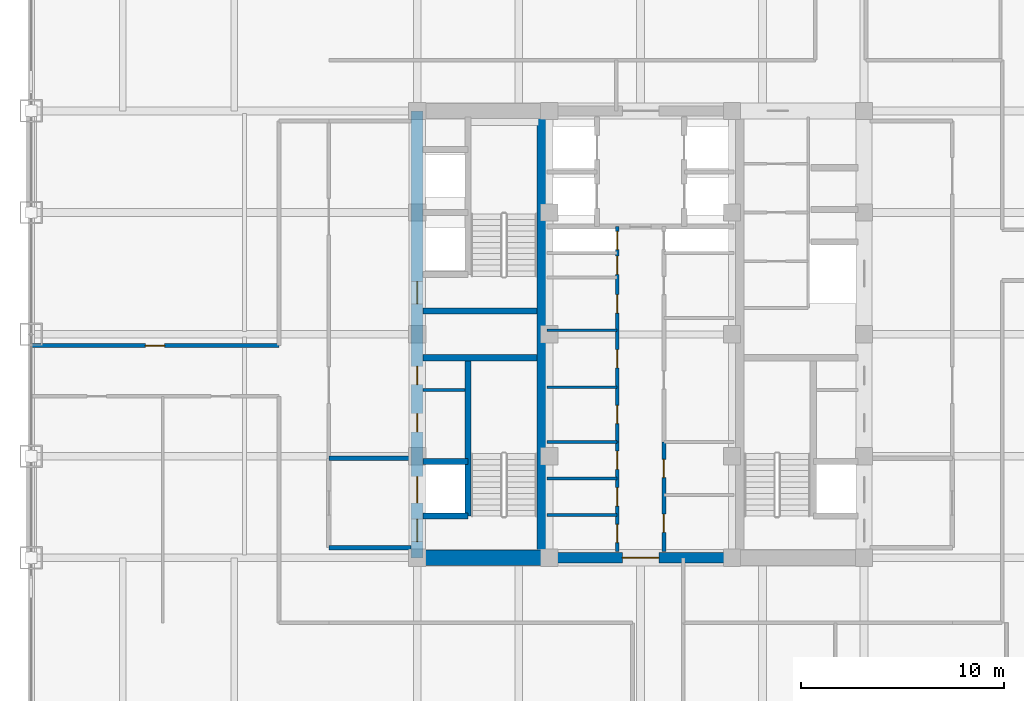
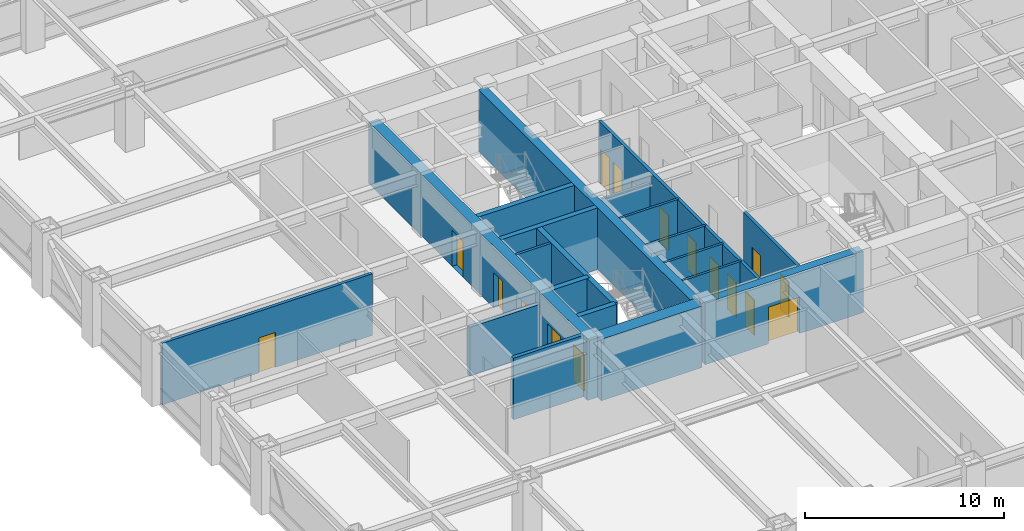
# One storey, part 20 of 25: 21 walls, 17 doors, 17 openings.
"""IFC4 building model written with IfcOpenShell, lengths in metres."""

from ifc_helpers import new_model, si_unit, direction, frame, frame_2d, origin, place, context, subcontext, project, spatial, rectangle, extrude, source, transform, mapped, material, layer, layer_set, type_object, element, fill, save


model = new_model("IFC4")

# Units and contexts
model_context = context("Model", 3, precision=1e-05, world=origin(), true_north=direction((0.0, 1.0)))
body_context = subcontext(model_context, "Body", "Model", "MODEL_VIEW")
ifc_project = project(units=[si_unit("LENGTHUNIT", "METRE"), si_unit("AREAUNIT", "SQUARE_METRE"), si_unit("VOLUMEUNIT", "CUBIC_METRE"), si_unit("PLANEANGLEUNIT", "RADIAN"), si_unit("MASSUNIT", "GRAM", prefix="KILO")], contexts=[model_context])

# Site, building, storey
site_placement = place(None, origin())
site = spatial("IfcSite", under=ifc_project, at=site_placement, CompositionType="ELEMENT")
building_placement = place(site_placement, origin())
building = spatial("IfcBuilding", under=site, at=building_placement, Name="Khorayat Bourse Tower", CompositionType="ELEMENT")
storey_placement = place(building_placement, frame((0.0, 0.0, 195.10009765625)))
storey = spatial("IfcBuildingStorey", under=building, at=storey_placement, Name="L45", CompositionType="ELEMENT", Elevation=195.10009765625)

# Wall, openings, doors
ifc_material_1 = material(Name="Concrete C60/75", Category="concrete")
ifc_layer_1 = layer(ifc_material_1, 0.60009765625)
ifc_layer_set_1 = layer_set([ifc_layer_1], Name="Concrete C60/75")
wall_type_1 = type_object("IfcWallType", Name="WAL-CORE-600", PredefinedType="SHEAR", material=ifc_layer_set_1)
shared_shape_1 = source(origin(), body_context, "Body", "SweptSolid", [
    extrude(rectangle(XDim=22.0, YDim=0.60009765625, at=frame_2d((11.0, 0.0))), origin(), (0.0, 0.0, 1.0), 3.77978515625),
])
wall_1_placement = place(storey_placement, frame((-11.0, -11.0, 0.0), z_axis=(0.0, 0.0, 1.0), x_axis=(0.0, 1.0, 0.0)))
wall_1 = element("IfcWall", 1, at=wall_1_placement, inside=storey, type_object=wall_type_1, Name="L45 Core Shear Wall CORE-W", PredefinedType="SHEAR", context=body_context, shape_type="MappedRepresentation", body=[
    mapped(shared_shape_1, transform((0.0, 0.0, 0.0), scale=1.0)),
])
shared_shape_2 = source(origin(), body_context, "Body", "SweptSolid", [
    extrude(rectangle(XDim=1.10009765625, YDim=2.199951171875, at=frame_2d((0.550048828125, 1.10009765625))), frame((0.0, 0.31005859375, 0.0), z_axis=(0.0, -1.0, 0.0), x_axis=(1.0, 0.0, 0.0)), (0.0, 0.0, 1.0), 0.6201171875),
])
opening_1_placement = place(wall_1_placement, frame((0.800048828125, 0.0, 0.0)))
opening_1 = element("IfcOpeningElement", 2, at=opening_1_placement, cuts=wall_1, Name="Opening DI-01", PredefinedType="OPENING", context=body_context, shape_type="MappedRepresentation", body=[
    mapped(shared_shape_2, transform((0.0, 0.0, 0.0), scale=1.0)),
])
opening_2_placement = place(wall_1_placement, frame((12.5, 0.0, 0.0)))
opening_2 = element("IfcOpeningElement", 3, at=opening_2_placement, cuts=wall_1, Name="Opening DI-01", PredefinedType="OPENING", context=body_context, shape_type="MappedRepresentation", body=[
    mapped(shared_shape_2, transform((0.0, 0.0, 0.0), scale=1.0)),
])
shared_shape_3 = source(origin(), body_context, "Body", "SweptSolid", [
    extrude(rectangle(XDim=0.89990234375, YDim=2.14990234375, at=frame_2d((0.449951171875, 1.074951171875))), frame((0.0, 0.31005859375, 0.0), z_axis=(0.0, -1.0, 0.0), x_axis=(1.0, 0.0, 0.0)), (0.0, 0.0, 1.0), 0.6201171875),
])
opening_3_placement = place(wall_1_placement, frame((6.199951171875, 0.0, 0.0)))
opening_3 = element("IfcOpeningElement", 4, at=opening_3_placement, cuts=wall_1, Name="Opening DI-06", PredefinedType="OPENING", context=body_context, shape_type="MappedRepresentation", body=[
    mapped(shared_shape_3, transform((0.0, 0.0, 0.0), scale=1.0)),
])
opening_4_placement = place(wall_1_placement, frame((8.52490234375, 0.0, 0.0)))
opening_4 = element("IfcOpeningElement", 5, at=opening_4_placement, cuts=wall_1, Name="Opening DI-06", PredefinedType="OPENING", context=body_context, shape_type="MappedRepresentation", body=[
    mapped(shared_shape_3, transform((0.0, 0.0, 0.0), scale=1.0)),
])
shared_shape_4 = source(origin(), body_context, "Body", "SweptSolid", [
    extrude(rectangle(XDim=1.300048828125, YDim=2.300048828125, at=frame_2d((0.64990234375, 1.14990234375))), frame((0.0, 0.31005859375, 0.0), z_axis=(0.0, -1.0, 0.0), x_axis=(1.0, 0.0, 0.0)), (0.0, 0.0, 1.0), 0.6201171875),
])
opening_5_placement = place(wall_1_placement, frame((2.699951171875, 0.0, 0.0)))
opening_5 = element("IfcOpeningElement", 6, at=opening_5_placement, cuts=wall_1, Name="Opening LD-02", PredefinedType="OPENING", context=body_context, shape_type="MappedRepresentation", body=[
    mapped(shared_shape_4, transform((0.0, 0.0, 0.0), scale=1.0)),
])
ifc_material_2 = material(Name="Fire-rated steel acoustic leaf", Category="steel")
door_type_1 = type_object("IfcDoorType", Name="DR-INT-STAIR-1100", OperationType="NOTDEFINED", PredefinedType="DOOR", material=ifc_material_2)
shared_shape_5 = source(origin(), body_context, "Body", "SweptSolid", [
    extrude(rectangle(XDim=1.10009765625, YDim=2.199951171875, at=frame_2d((0.550048828125, 1.10009765625))), frame((0.0, 0.02490234375, 0.0), z_axis=(0.0, -1.0, 0.0), x_axis=(1.0, 0.0, 0.0)), (0.0, 0.0, 1.0), 0.050048828125),
])
door_1_placement = place(opening_1_placement, origin())
door_1 = element("IfcDoor", 7, at=door_1_placement, inside=storey, type_object=door_type_1, Name="L45 Exit Stair 1 Door", OperationType="SINGLE_SWING_RIGHT", OverallHeight=2.199951171875, OverallWidth=1.10009765625, PredefinedType="DOOR", context=body_context, shape_type="MappedRepresentation", body=[
    mapped(shared_shape_5, transform((0.0, 0.0, 0.0), scale=1.0)),
])
fill(opening_1, door_1)
door_2_placement = place(opening_2_placement, origin())
door_2 = element("IfcDoor", 8, at=door_2_placement, inside=storey, type_object=door_type_1, Name="L45 Exit Stair 2 Door", OperationType="SINGLE_SWING_RIGHT", OverallHeight=2.199951171875, OverallWidth=1.10009765625, PredefinedType="DOOR", context=body_context, shape_type="MappedRepresentation", body=[
    mapped(shared_shape_5, transform((0.0, 0.0, 0.0), scale=1.0)),
])
fill(opening_2, door_2)
ifc_material_3 = material(Name="Moisture-resistant laminate washroom door")
door_type_2 = type_object("IfcDoorType", Name="DR-INT-WC-900", OperationType="NOTDEFINED", PredefinedType="DOOR", material=ifc_material_3)
shared_shape_6 = source(origin(), body_context, "Body", "SweptSolid", [
    extrude(rectangle(XDim=0.89990234375, YDim=2.14990234375, at=frame_2d((0.449951171875, 1.074951171875))), frame((0.0, 0.02490234375, 0.0), z_axis=(0.0, -1.0, 0.0), x_axis=(1.0, 0.0, 0.0)), (0.0, 0.0, 1.0), 0.050048828125),
])
door_3_placement = place(opening_3_placement, origin())
door_3 = element("IfcDoor", 9, at=door_3_placement, inside=storey, type_object=door_type_2, Name="L45 Switch Closet Door", OperationType="SINGLE_SWING_RIGHT", OverallHeight=2.14990234375, OverallWidth=0.89990234375, PredefinedType="DOOR", context=body_context, shape_type="MappedRepresentation", body=[
    mapped(shared_shape_6, transform((0.0, 0.0, 0.0), scale=1.0)),
])
fill(opening_3, door_3)
door_4_placement = place(opening_4_placement, origin())
door_4 = element("IfcDoor", 10, at=door_4_placement, inside=storey, type_object=door_type_2, Name="L45 Janitor Store Door", OperationType="SINGLE_SWING_LEFT", OverallHeight=2.14990234375, OverallWidth=0.89990234375, PredefinedType="DOOR", context=body_context, shape_type="MappedRepresentation", body=[
    mapped(shared_shape_6, transform((0.0, 0.0, 0.0), scale=1.0)),
])
fill(opening_4, door_4)
ifc_material_4 = material(Name="Fire-rated stainless-steel sliding landing door", Category="steel")
door_type_3 = type_object("IfcDoorType", Name="DR-LIFT-FF-1300", OperationType="NOTDEFINED", PredefinedType="DOOR", material=ifc_material_4)
shared_shape_7 = source(origin(), body_context, "Body", "SweptSolid", [
    extrude(rectangle(XDim=1.300048828125, YDim=2.300048828125, at=frame_2d((0.64990234375, 1.14990234375))), frame((0.0, 0.02490234375, 0.0), z_axis=(0.0, -1.0, 0.0), x_axis=(1.0, 0.0, 0.0)), (0.0, 0.0, 1.0), 0.050048828125),
])
door_5_placement = place(opening_5_placement, origin())
door_5 = element("IfcDoor", 11, at=door_5_placement, inside=storey, type_object=door_type_3, Name="L45 Lift FFL-01 Sliding Landing Door", OperationType="SLIDING_TO_LEFT", OverallHeight=2.300048828125, OverallWidth=1.300048828125, PredefinedType="DOOR", context=body_context, shape_type="MappedRepresentation", body=[
    mapped(shared_shape_7, transform((0.0, 0.0, 0.0), scale=1.0)),
])
fill(opening_5, door_5)

# Walls
ifc_material_5 = material(Name="Concrete C52/65", Category="concrete")
ifc_layer_2 = layer(ifc_material_5, 0.5)
ifc_layer_set_2 = layer_set([ifc_layer_2], Name="Concrete C52/65")
wall_type_2 = type_object("IfcWallType", Name="WAL-CORE-500", PredefinedType="SHEAR", material=ifc_layer_set_2)
shared_shape_8 = source(origin(), body_context, "Body", "SweptSolid", [
    extrude(rectangle(XDim=21.39990234375, YDim=0.5, at=frame_2d((10.699951171875, 0.0))), origin(), (0.0, 0.0, 1.0), 3.77978515625),
])
wall_2_placement = place(storey_placement, frame((-4.85009765625, -10.699951171875, 0.0), z_axis=(0.0, 0.0, 1.0), x_axis=(0.0, 1.0, 0.0)))
element("IfcWall", 12, at=wall_2_placement, inside=storey, type_object=wall_type_2, Name="L45 Core Shear Wall PIER-W", PredefinedType="SHEAR", context=body_context, shape_type="MappedRepresentation", body=[
    mapped(shared_shape_8, transform((0.0, 0.0, 0.0), scale=1.0)),
])
ifc_material_6 = material(Name="Concrete C72/90", Category="concrete")
ifc_layer_3 = layer(ifc_material_6, 0.75)
ifc_layer_set_3 = layer_set([ifc_layer_3], Name="Concrete C72/90")
wall_type_3 = type_object("IfcWallType", Name="WAL-CORE-750", PredefinedType="SHEAR", material=ifc_layer_set_3)
shared_shape_9 = source(origin(), body_context, "Body", "SweptSolid", [
    extrude(rectangle(XDim=5.849853515625, YDim=0.75, at=frame_2d((2.9248046875, 0.0))), origin(), (0.0, 0.0, 1.0), 3.77978515625),
])
wall_3_placement = place(storey_placement, frame((-10.699951171875, -11.0, 0.0), z_axis=(0.0, 0.0, 1.0), x_axis=(1.0, 0.0, 0.0)))
element("IfcWall", 13, at=wall_3_placement, inside=storey, type_object=wall_type_3, Name="L45 Core Shear Wall PIER-WS", PredefinedType="SHEAR", context=body_context, shape_type="MappedRepresentation", body=[
    mapped(shared_shape_9, transform((0.0, 0.0, 0.0), scale=1.0)),
])
ifc_material_7 = material(Name="Concrete C50/60", Category="concrete")
ifc_layer_4 = layer(ifc_material_7, 0.300048828125)
ifc_layer_set_4 = layer_set([ifc_layer_4], Name="Concrete C50/60")
wall_type_4 = type_object("IfcWallType", Name="WAL-SHAFT-300", PredefinedType="SHEAR", material=ifc_layer_set_4)
shared_shape_10 = source(origin(), body_context, "Body", "SweptSolid", [
    extrude(rectangle(XDim=5.599853515625, YDim=0.300048828125, at=frame_2d((2.7998046875, 0.0))), origin(), (0.0, 0.0, 1.0), 3.77978515625),
])
for number, where, z_axis, x_axis, name in (
    (14, (-10.699951171875, -1.14990234375, 0.0), (0.0, 0.0, 1.0), (1.0, 0.0, 0.0), "L45 Core Shear Wall ST1-DIV"),
    (15, (-10.699951171875, 1.14990234375, 0.0), (0.0, 0.0, 1.0), (1.0, 0.0, 0.0), "L45 Core Shear Wall ST2-DIV"),
):
    element("IfcWall", number, at=place(storey_placement, frame(where, z_axis=z_axis, x_axis=x_axis)), inside=storey, type_object=wall_type_4, Name=name, PredefinedType="SHEAR", context=body_context, shape_type="MappedRepresentation", body=[
        mapped(shared_shape_10, transform((0.0, 0.0, 0.0), scale=1.0)),
    ])

# Wall, opening, door
shared_shape_11 = source(origin(), body_context, "Body", "SweptSolid", [
    extrude(rectangle(XDim=9.2001953125, YDim=0.5, at=frame_2d((4.60009765625, 0.0))), origin(), (0.0, 0.0, 1.0), 3.77978515625),
])
wall_4_placement = place(storey_placement, frame((-4.60009765625, -11.0, 0.0), z_axis=(0.0, 0.0, 1.0), x_axis=(1.0, 0.0, 0.0)))
wall_4 = element("IfcWall", 16, at=wall_4_placement, inside=storey, type_object=wall_type_2, Name="L45 Core Shear Wall CORE-S", PredefinedType="SHEAR", context=body_context, shape_type="MappedRepresentation", body=[
    mapped(shared_shape_11, transform((0.0, 0.0, 0.0), scale=1.0)),
])
shared_shape_12 = source(origin(), body_context, "Body", "SweptSolid", [
    extrude(rectangle(XDim=1.800048828125, YDim=2.25, at=frame_2d((0.89990234375, 1.125))), frame((0.0, 0.260009765625, 0.0), z_axis=(0.0, -1.0, 0.0), x_axis=(1.0, 0.0, 0.0)), (0.0, 0.0, 1.0), 0.52001953125),
])
opening_6_placement = place(wall_4_placement, frame((3.699951171875, 0.0, 0.0)))
opening_6 = element("IfcOpeningElement", 17, at=opening_6_placement, cuts=wall_4, Name="Opening DI-03", PredefinedType="OPENING", context=body_context, shape_type="MappedRepresentation", body=[
    mapped(shared_shape_12, transform((0.0, 0.0, 0.0), scale=1.0)),
])
ifc_material_8 = material(Name="Fire-rated hardwood vision-panel double leaf", Category="wood")
door_type_4 = type_object("IfcDoorType", Name="DR-INT-CORR-1800", OperationType="NOTDEFINED", PredefinedType="DOOR", material=ifc_material_8)
shared_shape_13 = source(origin(), body_context, "Body", "SweptSolid", [
    extrude(rectangle(XDim=1.800048828125, YDim=2.25, at=frame_2d((0.89990234375, 1.125))), frame((0.0, 0.02490234375, 0.0), z_axis=(0.0, -1.0, 0.0), x_axis=(1.0, 0.0, 0.0)), (0.0, 0.0, 1.0), 0.050048828125),
])
door_6_placement = place(opening_6_placement, origin())
door_6 = element("IfcDoor", 18, at=door_6_placement, inside=storey, type_object=door_type_4, Name="L45 Central Core South Passage Door", OperationType="SINGLE_SWING_LEFT", OverallHeight=2.25, OverallWidth=1.800048828125, PredefinedType="DOOR", context=body_context, shape_type="MappedRepresentation", body=[
    mapped(shared_shape_13, transform((0.0, 0.0, 0.0), scale=1.0)),
])
fill(opening_6, door_6)

# Walls
shared_shape_14 = source(origin(), body_context, "Body", "SweptSolid", [
    extrude(rectangle(XDim=7.800048828125, YDim=0.300048828125, at=frame_2d((3.89990234375, 0.0))), origin(), (0.0, 0.0, 1.0), 3.77978515625),
])
wall_5_placement = place(storey_placement, frame((-8.5, -8.949951171875, 0.0), z_axis=(0.0, 0.0, 1.0), x_axis=(0.0, 1.0, 0.0)))
element("IfcWall", 19, at=wall_5_placement, inside=storey, type_object=wall_type_4, Name="L45 Partition WAL-L45-WPIER-SP", PredefinedType="SHEAR", context=body_context, shape_type="MappedRepresentation", body=[
    mapped(shared_shape_14, transform((0.0, 0.0, 0.0), scale=1.0)),
])
shared_shape_15 = source(origin(), body_context, "Body", "SweptSolid", [
    extrude(rectangle(XDim=2.199951171875, YDim=0.300048828125, at=frame_2d((1.10009765625, 0.0))), origin(), (0.0, 0.0, 1.0), 3.77978515625),
])
for number, where, z_axis, x_axis, name in (
    (20, (-10.699951171875, -8.949951171875, 0.0), (0.0, 0.0, 1.0), (1.0, 0.0, 0.0), "L45 Partition WAL-L45-WPIER-FF1S"),
    (21, (-10.699951171875, -6.25, 0.0), (0.0, 0.0, 1.0), (1.0, 0.0, 0.0), "L45 Partition WAL-L45-WPIER-FF1N"),
):
    element("IfcWall", number, at=place(storey_placement, frame(where, z_axis=z_axis, x_axis=x_axis)), inside=storey, type_object=wall_type_4, Name=name, PredefinedType="SHEAR", context=body_context, shape_type="MappedRepresentation", body=[
        mapped(shared_shape_15, transform((0.0, 0.0, 0.0), scale=1.0)),
    ])
ifc_material_9 = material(Name="Gypsum plasterboard twin-frame partition")
ifc_layer_5 = layer(ifc_material_9, 0.14990234375)
ifc_layer_set_5 = layer_set([ifc_layer_5], Name="Gypsum plasterboard twin-frame partition")
wall_type_5 = type_object("IfcWallType", Name="WAL-PART-SUITE-150", PredefinedType="PARTITIONING", material=ifc_layer_set_5)
shared_shape_16 = source(origin(), body_context, "Body", "SweptSolid", [
    extrude(rectangle(XDim=2.050048828125, YDim=0.14990234375, at=frame_2d((1.02490234375, 0.0))), origin(), (0.0, 0.0, 1.0), 3.77978515625),
])
wall_6_placement = place(storey_placement, frame((-10.699951171875, -2.75, 0.0), z_axis=(0.0, 0.0, 1.0), x_axis=(1.0, 0.0, 0.0)))
element("IfcWall", 22, at=wall_6_placement, inside=storey, type_object=wall_type_5, Name="L45 Partition WAL-L45-WSRV-D1", PredefinedType="PARTITIONING", context=body_context, shape_type="MappedRepresentation", body=[
    mapped(shared_shape_16, transform((0.0, 0.0, 0.0), scale=1.0)),
])
ifc_material_10 = material(Name="Aerated concrete blockwork", Category="masonry")
ifc_layer_6 = layer(ifc_material_10, 0.219970703125)
ifc_layer_set_6 = layer_set([ifc_layer_6], Name="Aerated concrete blockwork")
wall_type_6 = type_object("IfcWallType", Name="WAL-PART-FF-220", PredefinedType="PARTITIONING", material=ifc_layer_set_6)
shared_shape_17 = source(origin(), body_context, "Body", "SweptSolid", [
    extrude(rectangle(XDim=4.050048828125, YDim=0.219970703125, at=frame_2d((2.02490234375, 0.0))), origin(), (0.0, 0.0, 1.0), 3.77978515625),
])
wall_7_placement = place(storey_placement, frame((-15.35009765625, -10.5, 0.0), z_axis=(0.0, 0.0, 1.0), x_axis=(1.0, 0.0, 0.0)))
element("IfcWall", 23, at=wall_7_placement, inside=storey, type_object=wall_type_6, Name="L45 Partition WAL-L45-FFLW-S", PredefinedType="PARTITIONING", context=body_context, shape_type="MappedRepresentation", body=[
    mapped(shared_shape_17, transform((0.0, 0.0, 0.0), scale=1.0)),
])
shared_shape_18 = source(origin(), body_context, "Body", "SweptSolid", [
    extrude(rectangle(XDim=4.050048828125, YDim=0.219970703125, at=frame_2d((2.02490234375, 0.0))), origin(), (0.0, 0.0, 1.0), 3.0068359375),
])
wall_8_placement = place(storey_placement, frame((-15.35009765625, -6.10009765625, 0.0), z_axis=(0.0, 0.0, 1.0), x_axis=(1.0, 0.0, 0.0)))
element("IfcWall", 24, at=wall_8_placement, inside=storey, type_object=wall_type_6, Name="L45 Partition WAL-L45-FFLW-N", PredefinedType="PARTITIONING", context=body_context, shape_type="MappedRepresentation", body=[
    mapped(shared_shape_18, transform((0.0, 0.0, 0.0), scale=1.0)),
])
shared_shape_19 = source(origin(), body_context, "Body", "SweptSolid", [
    extrude(rectangle(XDim=3.4501953125, YDim=0.14990234375, at=frame_2d((1.72509765625, 0.0))), origin(), (0.0, 0.0, 1.0), 3.77978515625),
])
wall_9_placement = place(storey_placement, frame((-4.60009765625, -5.300048828125, 0.0), z_axis=(0.0, 0.0, 1.0), x_axis=(1.0, 0.0, 0.0)))
element("IfcWall", 25, at=wall_9_placement, inside=storey, type_object=wall_type_5, Name="L45 Partition WAL-L45-FB1-NW", PredefinedType="PARTITIONING", context=body_context, shape_type="MappedRepresentation", body=[
    mapped(shared_shape_19, transform((0.0, 0.0, 0.0), scale=1.0)),
])
ifc_material_11 = material(Name="Moisture-resistant masonry partition", Category="masonry")
ifc_layer_7 = layer(ifc_material_11, 0.139892578125)
ifc_layer_set_7 = layer_set([ifc_layer_7], Name="Moisture-resistant masonry partition")
wall_type_7 = type_object("IfcWallType", Name="WAL-PART-WET-140", PredefinedType="PARTITIONING", material=ifc_layer_set_7)
shared_shape_20 = source(origin(), body_context, "Body", "SweptSolid", [
    extrude(rectangle(XDim=3.4501953125, YDim=0.139892578125, at=frame_2d((1.72509765625, 0.0))), origin(), (0.0, 0.0, 1.0), 3.77978515625),
])
for number, where, z_axis, x_axis, name in (
    (26, (-4.60009765625, -8.89990234375, 0.0), (0.0, 0.0, 1.0), (1.0, 0.0, 0.0), "L45 Partition WAL-L45-FB1W-D1"),
    (27, (-4.60009765625, -7.10009765625, 0.0), (0.0, 0.0, 1.0), (1.0, 0.0, 0.0), "L45 Partition WAL-L45-FB1W-D2"),
    (28, (-4.60009765625, -2.60009765625, 0.0), (0.0, 0.0, 1.0), (1.0, 0.0, 0.0), "L45 Partition WAL-L45-CMW-D1"),
):
    element("IfcWall", number, at=place(storey_placement, frame(where, z_axis=z_axis, x_axis=x_axis)), inside=storey, type_object=wall_type_7, Name=name, PredefinedType="PARTITIONING", context=body_context, shape_type="MappedRepresentation", body=[
        mapped(shared_shape_20, transform((0.0, 0.0, 0.0), scale=1.0)),
    ])

# Wall, openings, doors
ifc_material_12 = material(Name="Gypsum plasterboard acoustic stud wall")
ifc_layer_8 = layer(ifc_material_12, 0.179931640625)
ifc_layer_set_8 = layer_set([ifc_layer_8], Name="Gypsum plasterboard acoustic stud wall")
wall_type_8 = type_object("IfcWallType", Name="WAL-PART-CORR-180", PredefinedType="PARTITIONING", material=ifc_layer_set_8)
shared_shape_21 = source(origin(), body_context, "Body", "SweptSolid", [
    extrude(rectangle(XDim=5.39990234375, YDim=0.179931640625, at=frame_2d((2.699951171875, 0.0))), origin(), (0.0, 0.0, 1.0), 3.77978515625),
])
wall_10_placement = place(storey_placement, frame((-1.14990234375, -10.699951171875, 0.0), z_axis=(0.0, 0.0, 1.0), x_axis=(0.0, 1.0, 0.0)))
wall_10 = element("IfcWall", 29, at=wall_10_placement, inside=storey, type_object=wall_type_8, Name="L45 Partition WAL-L45-FB1W-L", PredefinedType="PARTITIONING", context=body_context, shape_type="MappedRepresentation", body=[
    mapped(shared_shape_21, transform((0.0, 0.0, 0.0), scale=1.0)),
])
shared_shape_22 = source(origin(), body_context, "Body", "SweptSolid", [
    extrude(rectangle(XDim=0.89990234375, YDim=2.14990234375, at=frame_2d((0.449951171875, 1.074951171875))), frame((0.0, 0.099853515625, 0.0), z_axis=(0.0, -1.0, 0.0), x_axis=(1.0, 0.0, 0.0)), (0.0, 0.0, 1.0), 0.199951171875),
])
opening_7_placement = place(wall_10_placement, frame((0.449951171875, 0.0, 0.0)))
opening_7 = element("IfcOpeningElement", 30, at=opening_7_placement, cuts=wall_10, Name="Opening DI-06", PredefinedType="OPENING", context=body_context, shape_type="MappedRepresentation", body=[
    mapped(shared_shape_22, transform((0.0, 0.0, 0.0), scale=1.0)),
])
opening_8_placement = place(wall_10_placement, frame((2.25, 0.0, 0.0)))
opening_8 = element("IfcOpeningElement", 31, at=opening_8_placement, cuts=wall_10, Name="Opening DI-06", PredefinedType="OPENING", context=body_context, shape_type="MappedRepresentation", body=[
    mapped(shared_shape_22, transform((0.0, 0.0, 0.0), scale=1.0)),
])
opening_9_placement = place(wall_10_placement, frame((4.050048828125, 0.0, 0.0)))
opening_9 = element("IfcOpeningElement", 32, at=opening_9_placement, cuts=wall_10, Name="Opening DI-06", PredefinedType="OPENING", context=body_context, shape_type="MappedRepresentation", body=[
    mapped(shared_shape_22, transform((0.0, 0.0, 0.0), scale=1.0)),
])
door_7_placement = place(opening_7_placement, origin())
door_7 = element("IfcDoor", 33, at=door_7_placement, inside=storey, type_object=door_type_2, Name="L45 Archive Store A Door", OperationType="SINGLE_SWING_RIGHT", OverallHeight=2.14990234375, OverallWidth=0.89990234375, PredefinedType="DOOR", context=body_context, shape_type="MappedRepresentation", body=[
    mapped(shared_shape_6, transform((0.0, 0.0, 0.0), scale=1.0)),
])
fill(opening_7, door_7)
door_8_placement = place(opening_8_placement, origin())
door_8 = element("IfcDoor", 34, at=door_8_placement, inside=storey, type_object=door_type_2, Name="L45 Patch Comms Room Door", OperationType="SINGLE_SWING_LEFT", OverallHeight=2.14990234375, OverallWidth=0.89990234375, PredefinedType="DOOR", context=body_context, shape_type="MappedRepresentation", body=[
    mapped(shared_shape_6, transform((0.0, 0.0, 0.0), scale=1.0)),
])
fill(opening_8, door_8)
door_9_placement = place(opening_9_placement, origin())
door_9 = element("IfcDoor", 35, at=door_9_placement, inside=storey, type_object=door_type_2, Name="L45 Archive Store B Door", OperationType="SINGLE_SWING_RIGHT", OverallHeight=2.14990234375, OverallWidth=0.89990234375, PredefinedType="DOOR", context=body_context, shape_type="MappedRepresentation", body=[
    mapped(shared_shape_6, transform((0.0, 0.0, 0.0), scale=1.0)),
])
fill(opening_9, door_9)

wall_11_placement = place(storey_placement, frame((1.14990234375, -10.699951171875, 0.0), z_axis=(0.0, 0.0, 1.0), x_axis=(0.0, 1.0, 0.0)))
wall_11 = element("IfcWall", 36, at=wall_11_placement, inside=storey, type_object=wall_type_8, Name="L45 Partition WAL-L45-FB1E-L", PredefinedType="PARTITIONING", context=body_context, shape_type="MappedRepresentation", body=[
    mapped(shared_shape_21, transform((0.0, 0.0, 0.0), scale=1.0)),
])
opening_10_placement = place(wall_11_placement, frame((0.949951171875, 0.0, 0.0)))
opening_10 = element("IfcOpeningElement", 37, at=opening_10_placement, cuts=wall_11, Name="Opening DI-06", PredefinedType="OPENING", context=body_context, shape_type="MappedRepresentation", body=[
    mapped(shared_shape_22, transform((0.0, 0.0, 0.0), scale=1.0)),
])
opening_11_placement = place(wall_11_placement, frame((3.64990234375, 0.0, 0.0)))
opening_11 = element("IfcOpeningElement", 38, at=opening_11_placement, cuts=wall_11, Name="Opening DI-06", PredefinedType="OPENING", context=body_context, shape_type="MappedRepresentation", body=[
    mapped(shared_shape_22, transform((0.0, 0.0, 0.0), scale=1.0)),
])
door_10_placement = place(opening_10_placement, origin())
door_10 = element("IfcDoor", 39, at=door_10_placement, inside=storey, type_object=door_type_2, Name="L45 UPS Switch Plant Room Door", OperationType="SINGLE_SWING_RIGHT", OverallHeight=2.14990234375, OverallWidth=0.89990234375, PredefinedType="DOOR", context=body_context, shape_type="MappedRepresentation", body=[
    mapped(shared_shape_6, transform((0.0, 0.0, 0.0), scale=1.0)),
])
fill(opening_10, door_10)
door_11_placement = place(opening_11_placement, origin())
door_11 = element("IfcDoor", 40, at=door_11_placement, inside=storey, type_object=door_type_2, Name="L45 Reprographics Store Door", OperationType="SINGLE_SWING_LEFT", OverallHeight=2.14990234375, OverallWidth=0.89990234375, PredefinedType="DOOR", context=body_context, shape_type="MappedRepresentation", body=[
    mapped(shared_shape_6, transform((0.0, 0.0, 0.0), scale=1.0)),
])
fill(opening_11, door_11)

# Wall
shared_shape_23 = source(origin(), body_context, "Body", "SweptSolid", [
    extrude(rectangle(XDim=3.4501953125, YDim=0.139892578125, at=frame_2d((1.72509765625, 0.0))), origin(), (0.0, 0.0, 1.0), 3.0849609375),
])
wall_12_placement = place(storey_placement, frame((-4.60009765625, 0.199951171875, 0.0), z_axis=(0.0, 0.0, 1.0), x_axis=(1.0, 0.0, 0.0)))
element("IfcWall", 41, at=wall_12_placement, inside=storey, type_object=wall_type_7, Name="L45 Partition WAL-L45-CMW-D2", PredefinedType="PARTITIONING", context=body_context, shape_type="MappedRepresentation", body=[
    mapped(shared_shape_23, transform((0.0, 0.0, 0.0), scale=1.0)),
])

# Wall, openings, doors
shared_shape_24 = source(origin(), body_context, "Body", "SweptSolid", [
    extrude(rectangle(XDim=10.60009765625, YDim=0.179931640625, at=frame_2d((5.300048828125, 0.0))), origin(), (0.0, 0.0, 1.0), 3.77978515625),
])
wall_13_placement = place(storey_placement, frame((-1.14990234375, -5.300048828125, 0.0), z_axis=(0.0, 0.0, 1.0), x_axis=(0.0, 1.0, 0.0)))
wall_13 = element("IfcWall", 42, at=wall_13_placement, inside=storey, type_object=wall_type_8, Name="L45 Partition WAL-L45-CMW-L", PredefinedType="PARTITIONING", context=body_context, shape_type="MappedRepresentation", body=[
    mapped(shared_shape_24, transform((0.0, 0.0, 0.0), scale=1.0)),
])
opening_12_placement = place(wall_13_placement, frame((0.89990234375, 0.0, 0.0)))
opening_12 = element("IfcOpeningElement", 43, at=opening_12_placement, cuts=wall_13, Name="Opening DI-06", PredefinedType="OPENING", context=body_context, shape_type="MappedRepresentation", body=[
    mapped(shared_shape_22, transform((0.0, 0.0, 0.0), scale=1.0)),
])
opening_13_placement = place(wall_13_placement, frame((3.64990234375, 0.0, 0.0)))
opening_13 = element("IfcOpeningElement", 44, at=opening_13_placement, cuts=wall_13, Name="Opening DI-06", PredefinedType="OPENING", context=body_context, shape_type="MappedRepresentation", body=[
    mapped(shared_shape_22, transform((0.0, 0.0, 0.0), scale=1.0)),
])
opening_14_placement = place(wall_13_placement, frame((6.35009765625, 0.0, 0.0)))
opening_14 = element("IfcOpeningElement", 45, at=opening_14_placement, cuts=wall_13, Name="Opening DI-06", PredefinedType="OPENING", context=body_context, shape_type="MappedRepresentation", body=[
    mapped(shared_shape_22, transform((0.0, 0.0, 0.0), scale=1.0)),
])
opening_15_placement = place(wall_13_placement, frame((8.25, 0.0, 0.0)))
opening_15 = element("IfcOpeningElement", 46, at=opening_15_placement, cuts=wall_13, Name="Opening DI-06", PredefinedType="OPENING", context=body_context, shape_type="MappedRepresentation", body=[
    mapped(shared_shape_22, transform((0.0, 0.0, 0.0), scale=1.0)),
])
opening_16_placement = place(wall_13_placement, frame((9.47509765625, 0.0, 0.0)))
opening_16 = element("IfcOpeningElement", 47, at=opening_16_placement, cuts=wall_13, Name="Opening DI-06", PredefinedType="OPENING", context=body_context, shape_type="MappedRepresentation", body=[
    mapped(shared_shape_22, transform((0.0, 0.0, 0.0), scale=1.0)),
])
door_12_placement = place(opening_12_placement, origin())
door_12 = element("IfcDoor", 48, at=door_12_placement, inside=storey, type_object=door_type_2, Name="L45 Cleaners Store Door", OperationType="SINGLE_SWING_RIGHT", OverallHeight=2.14990234375, OverallWidth=0.89990234375, PredefinedType="DOOR", context=body_context, shape_type="MappedRepresentation", body=[
    mapped(shared_shape_6, transform((0.0, 0.0, 0.0), scale=1.0)),
])
fill(opening_12, door_12)
door_13_placement = place(opening_13_placement, origin())
door_13 = element("IfcDoor", 49, at=door_13_placement, inside=storey, type_object=door_type_2, Name="L45 Male Core Washroom Door", OperationType="SINGLE_SWING_LEFT", OverallHeight=2.14990234375, OverallWidth=0.89990234375, PredefinedType="DOOR", context=body_context, shape_type="MappedRepresentation", body=[
    mapped(shared_shape_6, transform((0.0, 0.0, 0.0), scale=1.0)),
])
fill(opening_13, door_13)
door_14_placement = place(opening_14_placement, origin())
door_14 = element("IfcDoor", 50, at=door_14_placement, inside=storey, type_object=door_type_2, Name="L45 Electrical Closet Door", OperationType="SINGLE_SWING_RIGHT", OverallHeight=2.14990234375, OverallWidth=0.89990234375, PredefinedType="DOOR", context=body_context, shape_type="MappedRepresentation", body=[
    mapped(shared_shape_6, transform((0.0, 0.0, 0.0), scale=1.0)),
])
fill(opening_14, door_14)
door_15_placement = place(opening_15_placement, origin())
door_15 = element("IfcDoor", 51, at=door_15_placement, inside=storey, type_object=door_type_2, Name="L45 Archive Cupboard Door", OperationType="SINGLE_SWING_LEFT", OverallHeight=2.14990234375, OverallWidth=0.89990234375, PredefinedType="DOOR", context=body_context, shape_type="MappedRepresentation", body=[
    mapped(shared_shape_6, transform((0.0, 0.0, 0.0), scale=1.0)),
])
fill(opening_15, door_15)
door_16_placement = place(opening_16_placement, origin())
door_16 = element("IfcDoor", 52, at=door_16_placement, inside=storey, type_object=door_type_2, Name="L45 West Core Riser Door", OperationType="SINGLE_SWING_LEFT", OverallHeight=2.14990234375, OverallWidth=0.89990234375, PredefinedType="DOOR", context=body_context, shape_type="MappedRepresentation", body=[
    mapped(shared_shape_6, transform((0.0, 0.0, 0.0), scale=1.0)),
])
fill(opening_16, door_16)

# Wall, opening, door
shared_shape_25 = source(origin(), body_context, "Body", "SweptSolid", [
    extrude(rectangle(XDim=12.199951171875, YDim=0.179931640625, at=frame_2d((6.10009765625, 0.0))), origin(), (0.0, 0.0, 1.0), 3.77978515625),
])
wall_14_placement = place(storey_placement, frame((-30.0, -0.550048828125, 0.0), z_axis=(0.0, 0.0, 1.0), x_axis=(1.0, 0.0, 0.0)))
wall_14 = element("IfcWall", 53, at=wall_14_placement, inside=storey, type_object=wall_type_8, Name="L45 Partition WAL-L45-WN-SPK", PredefinedType="PARTITIONING", context=body_context, shape_type="MappedRepresentation", body=[
    mapped(shared_shape_25, transform((0.0, 0.0, 0.0), scale=1.0)),
])
shared_shape_26 = source(origin(), body_context, "Body", "SweptSolid", [
    extrude(rectangle(XDim=0.949951171875, YDim=2.14990234375, at=frame_2d((0.47509765625, 1.074951171875))), frame((0.0, 0.099853515625, 0.0), z_axis=(0.0, -1.0, 0.0), x_axis=(1.0, 0.0, 0.0)), (0.0, 0.0, 1.0), 0.199951171875),
])
opening_17_placement = place(wall_14_placement, frame((5.625, 0.0, 0.0)))
opening_17 = element("IfcOpeningElement", 54, at=opening_17_placement, cuts=wall_14, Name="Opening DI-05", PredefinedType="OPENING", context=body_context, shape_type="MappedRepresentation", body=[
    mapped(shared_shape_26, transform((0.0, 0.0, 0.0), scale=1.0)),
])
ifc_material_13 = material(Name="Acoustic oak veneer office door")
door_type_5 = type_object("IfcDoorType", Name="DR-INT-OFFICE-950", OperationType="NOTDEFINED", PredefinedType="DOOR", material=ifc_material_13)
shared_shape_27 = source(origin(), body_context, "Body", "SweptSolid", [
    extrude(rectangle(XDim=0.949951171875, YDim=2.14990234375, at=frame_2d((0.47509765625, 1.074951171875))), frame((0.0, 0.02490234375, 0.0), z_axis=(0.0, -1.0, 0.0), x_axis=(1.0, 0.0, 0.0)), (0.0, 0.0, 1.0), 0.050048828125),
])
door_17_placement = place(opening_17_placement, origin())
door_17 = element("IfcDoor", 55, at=door_17_placement, inside=storey, type_object=door_type_5, Name="L45 Clearing Records Archive Store WN Door", OperationType="SINGLE_SWING_LEFT", OverallHeight=2.14990234375, OverallWidth=0.949951171875, PredefinedType="DOOR", context=body_context, shape_type="MappedRepresentation", body=[
    mapped(shared_shape_27, transform((0.0, 0.0, 0.0), scale=1.0)),
])
fill(opening_17, door_17)

save(model, "model.ifc")
